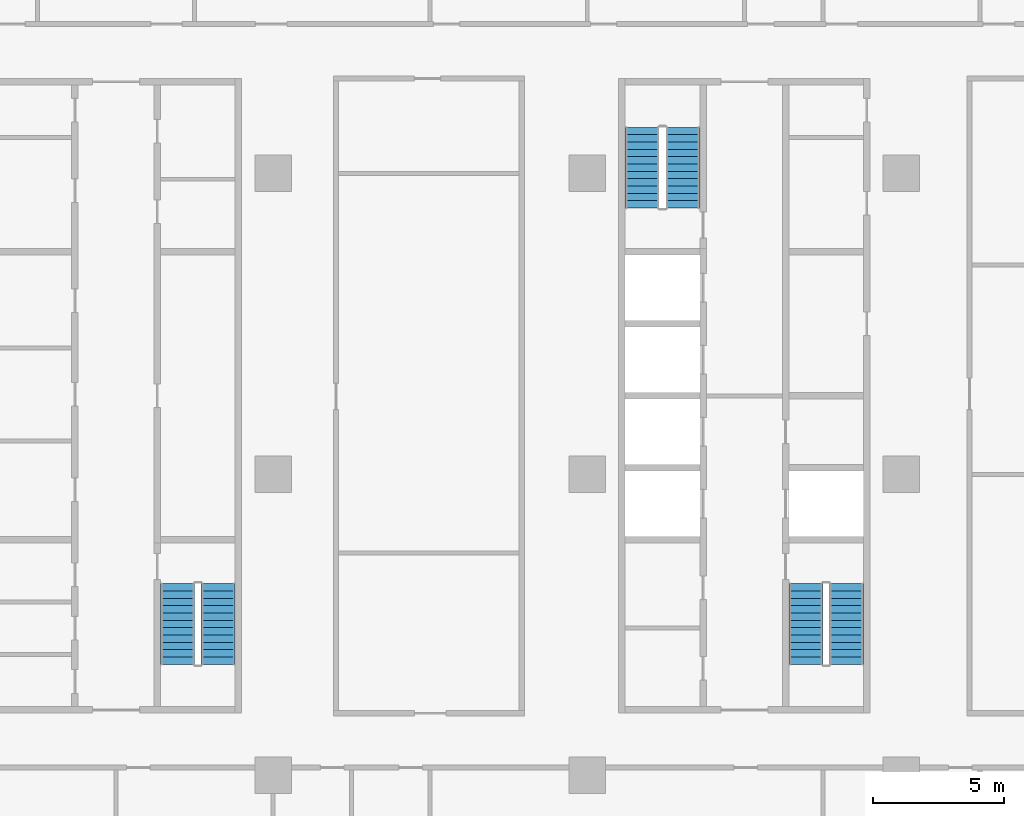
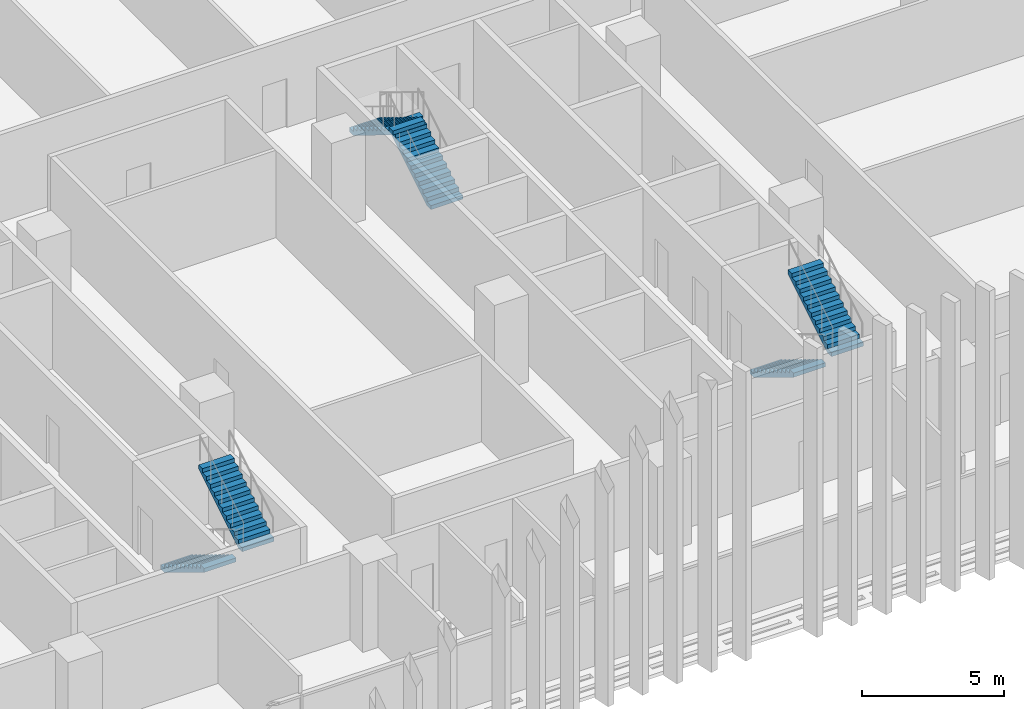
# One storey, part 18 of 31: 6 stair flights, 3 elements without a shape of their own.
"""IFC4 building model written with IfcOpenShell, lengths in metres."""

from ifc_helpers import new_model, si_unit, direction, frame, origin, place, context, subcontext, project, spatial, polyline, outline, extrude, material, type_object, element, aggregate, save


model = new_model("IFC4")

# Units and contexts
model_context = context("Model", 3, precision=1e-05, world=origin(), true_north=direction((0.0, 1.0)))
body_context = subcontext(model_context, "Body", "Model", "MODEL_VIEW")
ifc_project = project(units=[si_unit("LENGTHUNIT", "METRE"), si_unit("AREAUNIT", "SQUARE_METRE"), si_unit("VOLUMEUNIT", "CUBIC_METRE"), si_unit("PLANEANGLEUNIT", "RADIAN"), si_unit("MASSUNIT", "GRAM", prefix="KILO")], contexts=[model_context])

# Site, building, storey
site_placement = place(None, origin())
site = spatial("IfcSite", under=ifc_project, at=site_placement, CompositionType="ELEMENT")
building_placement = place(site_placement, origin())
building = spatial("IfcBuilding", under=site, at=building_placement, Name="Mahtab Terrace Research Tower", CompositionType="ELEMENT")
storey_placement = place(building_placement, frame((0.0, 0.0, 101.199951171875)))
storey = spatial("IfcBuildingStorey", under=building, at=storey_placement, Name="L23", CompositionType="ELEMENT", Elevation=101.199951171875)

# Stair, stair flights
ifc_material_1 = material(Name="Exit stair half-turn")
stair_type = type_object("IfcStairType", Name="Exit stair half-turn", PredefinedType="HALF_TURN_STAIR", material=ifc_material_1)
stair_1_placement = place(storey_placement, origin())
stair_1 = element("IfcStair", 1, at=stair_1_placement, inside=storey, type_object=stair_type, Name="L23 Protected exit stair ST2", PredefinedType="HALF_TURN_STAIR")
ifc_material_2 = material(Name="Concrete C40/50", Category="concrete")
stair_flight_type = type_object("IfcStairFlightType", Name="Exit stair flight 1300", PredefinedType="STRAIGHT", material=ifc_material_2)
stair_flight_1_placement = place(storey_placement, frame((2.35009765625, -4.175048828125, 0.0), z_axis=(0.0, 0.0, 1.0), x_axis=(0.0, -1.0, 0.0)))
stair_flight_1 = element("IfcStairFlight", 2, at=stair_flight_1_placement, type_object=stair_flight_type, Name="ST2 flight 1", NumberOfRisers=12, NumberOfTreads=11, PredefinedType="STRAIGHT", RiserHeight=0.170833333, TreadLength=0.28, context=body_context, shape_type="SweptSolid", body=[
    extrude(outline(polyline([(0.0, 0.0), (0.0, 0.1708984375), (0.280029296875, 0.1708984375), (0.280029296875, 0.341552734375), (0.56005859375, 0.341552734375), (0.56005859375, 0.512451171875), (0.840087890625, 0.512451171875), (0.840087890625, 0.683349609375), (1.1201171875, 0.683349609375), (1.1201171875, 0.854248046875), (1.39990234375, 0.854248046875), (1.39990234375, 1.02490234375), (1.679931640625, 1.02490234375), (1.679931640625, 1.19580078125), (1.9599609375, 1.19580078125), (1.9599609375, 1.36669921875), (2.239990234375, 1.36669921875), (2.239990234375, 1.53759765625), (2.52001953125, 1.53759765625), (2.52001953125, 1.708251953125), (2.800048828125, 1.708251953125), (2.800048828125, 1.879150390625), (3.080078125, 1.879150390625), (3.080078125, 2.050048828125), (3.080078125, 1.70361328125), (0.287841796875, 0.0), (0.0, 0.0)])), frame((0.0, 0.64990234375, 0.0), z_axis=(0.0, -1.0, 0.0), x_axis=(1.0, 0.0, 0.0)), (0.0, 0.0, 1.0), 1.300048828125),
])
stair_flight_2_placement = place(storey_placement, frame((3.89990234375, -7.2548828125, 2.050048828125), z_axis=(0.0, 0.0, 1.0), x_axis=(0.0, 1.0, 0.0)))
stair_flight_2 = element("IfcStairFlight", 3, at=stair_flight_2_placement, type_object=stair_flight_type, Name="ST2 flight 2", NumberOfRisers=12, NumberOfTreads=11, PredefinedType="STRAIGHT", RiserHeight=0.170833333, TreadLength=0.28, context=body_context, shape_type="SweptSolid", body=[
    extrude(outline(polyline([(0.0, 0.0), (0.0, 0.1708984375), (0.280029296875, 0.1708984375), (0.280029296875, 0.341552734375), (0.56005859375, 0.341552734375), (0.56005859375, 0.512451171875), (0.840087890625, 0.512451171875), (0.840087890625, 0.683349609375), (1.1201171875, 0.683349609375), (1.1201171875, 0.854248046875), (1.39990234375, 0.854248046875), (1.39990234375, 1.02490234375), (1.679931640625, 1.02490234375), (1.679931640625, 1.19580078125), (1.9599609375, 1.19580078125), (1.9599609375, 1.36669921875), (2.239990234375, 1.36669921875), (2.239990234375, 1.53759765625), (2.52001953125, 1.53759765625), (2.52001953125, 1.708251953125), (2.800048828125, 1.708251953125), (2.800048828125, 1.879150390625), (3.080078125, 1.879150390625), (3.080078125, 2.050048828125), (3.080078125, 1.70361328125), (0.287841796875, 0.0), (0.0, 0.0)])), frame((0.0, 0.64990234375, 0.0), z_axis=(0.0, -1.0, 0.0), x_axis=(1.0, 0.0, 0.0)), (0.0, 0.0, 1.0), 1.300048828125),
])
aggregate(stair_1, [stair_flight_1, stair_flight_2])

stair_2_placement = place(storey_placement, origin())
stair_2 = element("IfcStair", 4, at=stair_2_placement, inside=storey, type_object=stair_type, Name="L23 Protected exit stair ST3", PredefinedType="HALF_TURN_STAIR")
stair_flight_3_placement = place(storey_placement, frame((21.64990234375, 10.175048828125, 0.0), z_axis=(0.0, 0.0, 1.0), x_axis=(0.0, 1.0, 0.0)))
stair_flight_3 = element("IfcStairFlight", 5, at=stair_flight_3_placement, type_object=stair_flight_type, Name="ST3 flight 1", NumberOfRisers=12, NumberOfTreads=11, PredefinedType="STRAIGHT", RiserHeight=0.170833333, TreadLength=0.28, context=body_context, shape_type="SweptSolid", body=[
    extrude(outline(polyline([(0.0, 0.0), (0.0, 0.1708984375), (0.280029296875, 0.1708984375), (0.280029296875, 0.341552734375), (0.56005859375, 0.341552734375), (0.56005859375, 0.512451171875), (0.840087890625, 0.512451171875), (0.840087890625, 0.683349609375), (1.1201171875, 0.683349609375), (1.1201171875, 0.854248046875), (1.39990234375, 0.854248046875), (1.39990234375, 1.02490234375), (1.679931640625, 1.02490234375), (1.679931640625, 1.19580078125), (1.9599609375, 1.19580078125), (1.9599609375, 1.36669921875), (2.239990234375, 1.36669921875), (2.239990234375, 1.53759765625), (2.52001953125, 1.53759765625), (2.52001953125, 1.708251953125), (2.800048828125, 1.708251953125), (2.800048828125, 1.879150390625), (3.080078125, 1.879150390625), (3.080078125, 2.050048828125), (3.080078125, 1.70361328125), (0.287841796875, 0.0), (0.0, 0.0)])), frame((0.0, 0.64990234375, 0.0), z_axis=(0.0, -1.0, 0.0), x_axis=(1.0, 0.0, 0.0)), (0.0, 0.0, 1.0), 1.300048828125),
])
stair_flight_4_placement = place(storey_placement, frame((20.10009765625, 13.2548828125, 2.050048828125), z_axis=(0.0, 0.0, 1.0), x_axis=(0.0, -1.0, 0.0)))
stair_flight_4 = element("IfcStairFlight", 6, at=stair_flight_4_placement, type_object=stair_flight_type, Name="ST3 flight 2", NumberOfRisers=12, NumberOfTreads=11, PredefinedType="STRAIGHT", RiserHeight=0.170833333, TreadLength=0.28, context=body_context, shape_type="SweptSolid", body=[
    extrude(outline(polyline([(0.0, 0.0), (0.0, 0.1708984375), (0.280029296875, 0.1708984375), (0.280029296875, 0.341552734375), (0.56005859375, 0.341552734375), (0.56005859375, 0.512451171875), (0.840087890625, 0.512451171875), (0.840087890625, 0.683349609375), (1.1201171875, 0.683349609375), (1.1201171875, 0.854248046875), (1.39990234375, 0.854248046875), (1.39990234375, 1.02490234375), (1.679931640625, 1.02490234375), (1.679931640625, 1.19580078125), (1.9599609375, 1.19580078125), (1.9599609375, 1.36669921875), (2.239990234375, 1.36669921875), (2.239990234375, 1.53759765625), (2.52001953125, 1.53759765625), (2.52001953125, 1.708251953125), (2.800048828125, 1.708251953125), (2.800048828125, 1.879150390625), (3.080078125, 1.879150390625), (3.080078125, 2.050048828125), (3.080078125, 1.70361328125), (0.287841796875, 0.0), (0.0, 0.0)])), frame((0.0, 0.64990234375, 0.0), z_axis=(0.0, -1.0, 0.0), x_axis=(1.0, 0.0, 0.0)), (0.0, 0.0, 1.0), 1.300048828125),
])
aggregate(stair_2, [stair_flight_3, stair_flight_4])

stair_3_placement = place(storey_placement, origin())
stair_3 = element("IfcStair", 7, at=stair_3_placement, inside=storey, type_object=stair_type, Name="L23 Protected exit stair ST4", PredefinedType="HALF_TURN_STAIR")
stair_flight_5_placement = place(storey_placement, frame((26.35009765625, -4.175048828125, 0.0), z_axis=(0.0, 0.0, 1.0), x_axis=(0.0, -1.0, 0.0)))
stair_flight_5 = element("IfcStairFlight", 8, at=stair_flight_5_placement, type_object=stair_flight_type, Name="ST4 flight 1", NumberOfRisers=12, NumberOfTreads=11, PredefinedType="STRAIGHT", RiserHeight=0.170833333, TreadLength=0.28, context=body_context, shape_type="SweptSolid", body=[
    extrude(outline(polyline([(0.0, 0.0), (0.0, 0.1708984375), (0.280029296875, 0.1708984375), (0.280029296875, 0.341552734375), (0.56005859375, 0.341552734375), (0.56005859375, 0.512451171875), (0.840087890625, 0.512451171875), (0.840087890625, 0.683349609375), (1.1201171875, 0.683349609375), (1.1201171875, 0.854248046875), (1.39990234375, 0.854248046875), (1.39990234375, 1.02490234375), (1.679931640625, 1.02490234375), (1.679931640625, 1.19580078125), (1.9599609375, 1.19580078125), (1.9599609375, 1.36669921875), (2.239990234375, 1.36669921875), (2.239990234375, 1.53759765625), (2.52001953125, 1.53759765625), (2.52001953125, 1.708251953125), (2.800048828125, 1.708251953125), (2.800048828125, 1.879150390625), (3.080078125, 1.879150390625), (3.080078125, 2.050048828125), (3.080078125, 1.70361328125), (0.287841796875, 0.0), (0.0, 0.0)])), frame((0.0, 0.64990234375, 0.0), z_axis=(0.0, -1.0, 0.0), x_axis=(1.0, 0.0, 0.0)), (0.0, 0.0, 1.0), 1.300048828125),
])
stair_flight_6_placement = place(storey_placement, frame((27.89990234375, -7.2548828125, 2.050048828125), z_axis=(0.0, 0.0, 1.0), x_axis=(0.0, 1.0, 0.0)))
stair_flight_6 = element("IfcStairFlight", 9, at=stair_flight_6_placement, type_object=stair_flight_type, Name="ST4 flight 2", NumberOfRisers=12, NumberOfTreads=11, PredefinedType="STRAIGHT", RiserHeight=0.170833333, TreadLength=0.28, context=body_context, shape_type="SweptSolid", body=[
    extrude(outline(polyline([(0.0, 0.0), (0.0, 0.1708984375), (0.280029296875, 0.1708984375), (0.280029296875, 0.341552734375), (0.56005859375, 0.341552734375), (0.56005859375, 0.512451171875), (0.840087890625, 0.512451171875), (0.840087890625, 0.683349609375), (1.1201171875, 0.683349609375), (1.1201171875, 0.854248046875), (1.39990234375, 0.854248046875), (1.39990234375, 1.02490234375), (1.679931640625, 1.02490234375), (1.679931640625, 1.19580078125), (1.9599609375, 1.19580078125), (1.9599609375, 1.36669921875), (2.239990234375, 1.36669921875), (2.239990234375, 1.53759765625), (2.52001953125, 1.53759765625), (2.52001953125, 1.708251953125), (2.800048828125, 1.708251953125), (2.800048828125, 1.879150390625), (3.080078125, 1.879150390625), (3.080078125, 2.050048828125), (3.080078125, 1.70361328125), (0.287841796875, 0.0), (0.0, 0.0)])), frame((0.0, 0.64990234375, 0.0), z_axis=(0.0, -1.0, 0.0), x_axis=(1.0, 0.0, 0.0)), (0.0, 0.0, 1.0), 1.300048828125),
])
aggregate(stair_3, [stair_flight_5, stair_flight_6])

save(model, "model.ifc")
